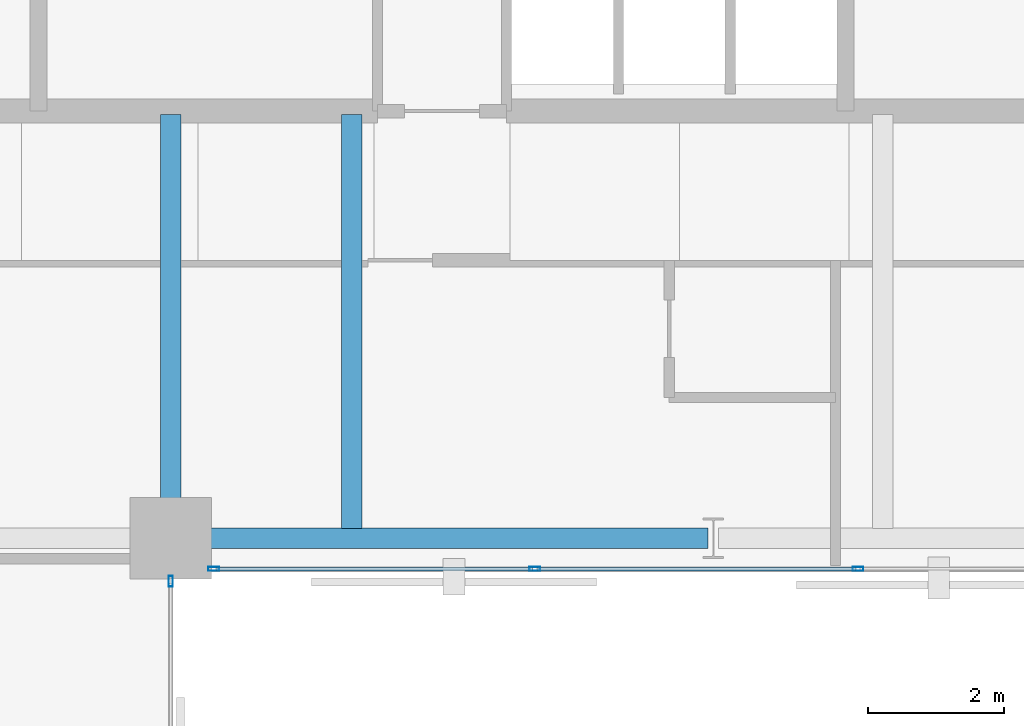
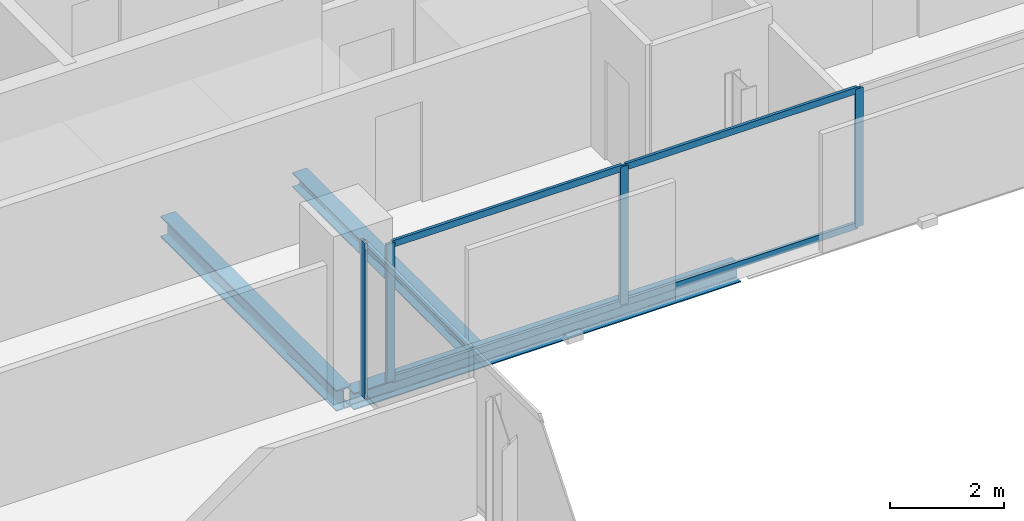
# One storey, part 13 of 32: 8 members, 3 beams, 2 elements without a shape of their own.
"""IFC4 building model written with IfcOpenShell, lengths in metres."""

from ifc_helpers import new_model, si_unit, direction, frame, origin, origin_2d, place, context, subcontext, project, spatial, hollow_rectangle, i_section, extrude, material, layer, layer_set, material_profile, profile_set, type_object, element, aggregate, save


model = new_model("IFC4")

# Units and contexts
model_context = context("Model", 3, precision=1e-05, world=origin(), true_north=direction((0.0, 1.0)))
body_context = subcontext(model_context, "Body", "Model", "MODEL_VIEW")
ifc_project = project(units=[si_unit("LENGTHUNIT", "METRE"), si_unit("AREAUNIT", "SQUARE_METRE"), si_unit("VOLUMEUNIT", "CUBIC_METRE"), si_unit("PLANEANGLEUNIT", "RADIAN"), si_unit("MASSUNIT", "GRAM", prefix="KILO")], contexts=[model_context])

# Site, building, storey
site_placement = place(None, origin())
site = spatial("IfcSite", under=ifc_project, at=site_placement, CompositionType="ELEMENT")
building_placement = place(site_placement, origin())
building = spatial("IfcBuilding", under=site, at=building_placement, Name="Catumbela Crestline Tower", CompositionType="ELEMENT")
storey_placement = place(building_placement, frame((0.0, 0.0, 129.6)))
storey = spatial("IfcBuildingStorey", under=building, at=storey_placement, Name="L33", CompositionType="ELEMENT", Elevation=129.6)

# Beams
ifc_material_1 = material(Name="Structural steel S355J2", Category="steel")
ifc_material_profile_1 = material_profile(ifc_material_1, i_section(OverallWidth=0.3, OverallDepth=0.45, WebThickness=0.014, FlangeThickness=0.026, FilletRadius=0.027, at=origin_2d()), Name="HEB 450")
ifc_profile_set_1 = profile_set([ifc_material_profile_1], Name="Structural steel S355J2")
beam_type_1 = type_object("IfcBeamType", Name="BG-HEB450", PredefinedType="BEAM", material=ifc_profile_set_1)
beam_1_placement = place(storey_placement, frame((24.0, 24.58, -0.485), z_axis=(0.0, 1.0, 0.0), x_axis=(-1.0, 0.0, 0.0)))
element("IfcBeam", 1, at=beam_1_placement, inside=storey, type_object=beam_type_1, Name="L33 Beam BM-L33-SNS29", PredefinedType="BEAM", context=body_context, shape_type="SweptSolid", body=[
    extrude(i_section(OverallWidth=0.3, OverallDepth=0.45, WebThickness=0.014, FlangeThickness=0.026, FilletRadius=0.027, at=origin_2d()), origin(), (0.0, 0.0, 1.0), 6.17),
])
ifc_material_profile_2 = material_profile(ifc_material_1, i_section(OverallWidth=0.3, OverallDepth=0.31, WebThickness=0.009, FlangeThickness=0.0155, FilletRadius=0.027, at=origin_2d()), Name="HEA 320")
ifc_profile_set_2 = profile_set([ifc_material_profile_2], Name="Structural steel S355J2")
beam_type_2 = type_object("IfcBeamType", Name="BJ-HEA320", PredefinedType="JOIST", material=ifc_profile_set_2)
beam_2_placement = place(storey_placement, frame((26.667, 24.647, -0.415), z_axis=(0.0, 1.0, 0.0), x_axis=(-1.0, 0.0, 0.0)))
element("IfcBeam", 2, at=beam_2_placement, inside=storey, type_object=beam_type_2, Name="L33 Joist JS-L33-SP39", PredefinedType="JOIST", context=body_context, shape_type="SweptSolid", body=[
    extrude(i_section(OverallWidth=0.3, OverallDepth=0.31, WebThickness=0.009, FlangeThickness=0.0155, FilletRadius=0.027, at=origin_2d()), origin(), (0.0, 0.0, 1.0), 6.103),
])

# Curtain wall, member
ifc_material_2 = material(Name="Aluminium alloy AW-6060-T66", Category="aluminium")
ifc_layer = layer(ifc_material_2, 0.18, Name="Aluminium alloy AW-6060-T66")
ifc_layer_set = layer_set([ifc_layer], Name="Aluminium alloy AW-6060-T66")
curtain_wall_type = type_object("IfcCurtainWallType", Name="CWU-Z2", PredefinedType="USERDEFINED", material=ifc_layer_set)
curtain_wall_1_placement = place(storey_placement, origin())
curtain_wall_1 = element("IfcCurtainWall", 3, at=curtain_wall_1_placement, inside=storey, type_object=curtain_wall_type, Name="L33 Unitised Curtain Wall CW-L33-E2S1", ObjectType="UNITISED", PredefinedType="USERDEFINED")
ifc_material_profile_3 = material_profile(ifc_material_2, hollow_rectangle(XDim=0.06, YDim=0.16, WallThickness=0.004, at=origin_2d()), Name="ALU 160x60x4")
ifc_profile_set_3 = profile_set([ifc_material_profile_3], Name="Aluminium alloy AW-6060-T66")
member_type_1 = type_object("IfcMemberType", Name="MUL-160X60", PredefinedType="MULLION", material=ifc_profile_set_3)
member_1_placement = place(storey_placement, frame((24.0, 23.8675, 0.0), z_axis=(0.0, 0.0, 1.0), x_axis=(-1.0, 0.0, 0.0)))
member_1 = element("IfcMember", 4, at=member_1_placement, type_object=member_type_1, Name="CWU-Z2 mullion 5", PredefinedType="MULLION", context=body_context, shape_type="SweptSolid", body=[
    extrude(hollow_rectangle(XDim=0.06, YDim=0.16, WallThickness=0.004, at=origin_2d()), origin(), (0.0, 0.0, 1.0), 3.33),
])
aggregate(curtain_wall_1, [member_1])

# Curtain wall, members
curtain_wall_2_placement = place(storey_placement, origin())
curtain_wall_2 = element("IfcCurtainWall", 5, at=curtain_wall_2_placement, inside=storey, type_object=curtain_wall_type, Name="L33 Unitised Curtain Wall CW-L33-E3S1", ObjectType="UNITISED", PredefinedType="USERDEFINED")
member_2_placement = place(storey_placement, frame((24.6325, 24.05, 0.0), z_axis=(0.0, 0.0, 1.0), x_axis=(0.0, 1.0, 0.0)))
member_2 = element("IfcMember", 6, at=member_2_placement, type_object=member_type_1, Name="CWU-Z2 mullion 1", PredefinedType="MULLION", context=body_context, shape_type="SweptSolid", body=[
    extrude(hollow_rectangle(XDim=0.06, YDim=0.16, WallThickness=0.004, at=origin_2d()), origin(), (0.0, 0.0, 1.0), 2.96),
])
member_3_placement = place(storey_placement, frame((29.3667, 24.05, 0.0), z_axis=(0.0, 0.0, 1.0), x_axis=(0.0, 1.0, 0.0)))
member_3 = element("IfcMember", 7, at=member_3_placement, type_object=member_type_1, Name="CWU-Z2 mullion 2", PredefinedType="MULLION", context=body_context, shape_type="SweptSolid", body=[
    extrude(hollow_rectangle(XDim=0.06, YDim=0.16, WallThickness=0.004, at=origin_2d()), origin(), (0.0, 0.0, 1.0), 2.96),
])
member_4_placement = place(storey_placement, frame((34.1333, 24.05, 0.0), z_axis=(0.0, 0.0, 1.0), x_axis=(0.0, 1.0, 0.0)))
member_4 = element("IfcMember", 8, at=member_4_placement, type_object=member_type_1, Name="CWU-Z2 mullion 3", PredefinedType="MULLION", context=body_context, shape_type="SweptSolid", body=[
    extrude(hollow_rectangle(XDim=0.06, YDim=0.16, WallThickness=0.004, at=origin_2d()), origin(), (0.0, 0.0, 1.0), 2.96),
])

# Beam
ifc_material_profile_4 = material_profile(ifc_material_1, i_section(OverallWidth=0.3, OverallDepth=0.36, WebThickness=0.0125, FlangeThickness=0.0225, FilletRadius=0.027, at=origin_2d()), Name="HEB 360")
ifc_profile_set_4 = profile_set([ifc_material_profile_4], Name="Structural steel S355J2")
beam_type_3 = type_object("IfcBeamType", Name="BS-HEB360", PredefinedType="SPANDREL", material=ifc_profile_set_4)
beam_3_placement = place(storey_placement, frame((24.08, 24.5, -0.44), z_axis=(1.0, 0.0, 0.0), x_axis=(0.0, 1.0, 0.0)))
element("IfcBeam", 9, at=beam_3_placement, inside=storey, type_object=beam_type_3, Name="L33 Spandrel SP-L33-S05", PredefinedType="SPANDREL", context=body_context, shape_type="SweptSolid", body=[
    extrude(i_section(OverallWidth=0.3, OverallDepth=0.36, WebThickness=0.0125, FlangeThickness=0.0225, FilletRadius=0.027, at=origin_2d()), origin(), (0.0, 0.0, 1.0), 7.84),
])

# Member
ifc_material_profile_5 = material_profile(ifc_material_2, hollow_rectangle(XDim=0.06, YDim=0.14, WallThickness=0.004, at=origin_2d()), Name="ALU 140x60x4")
ifc_profile_set_5 = profile_set([ifc_material_profile_5], Name="Aluminium alloy AW-6060-T66")
member_type_2 = type_object("IfcMemberType", Name="TRN-140X60", PredefinedType="USERDEFINED", material=ifc_profile_set_5)
member_5_placement = place(storey_placement, frame((24.665, 24.05, 0.03), z_axis=(1.0, 0.0, 0.0), x_axis=(0.0, 1.0, 0.0)))
member_5 = element("IfcMember", 10, at=member_5_placement, type_object=member_type_2, Name="CWU-Z2 transom 1.1", ObjectType="TRANSOM", PredefinedType="USERDEFINED", context=body_context, shape_type="SweptSolid", body=[
    extrude(hollow_rectangle(XDim=0.06, YDim=0.14, WallThickness=0.004, at=origin_2d()), origin(), (0.0, 0.0, 1.0), 4.6692),
])

member_6_placement = place(storey_placement, frame((24.665, 24.05, 2.93), z_axis=(1.0, 0.0, 0.0), x_axis=(0.0, 1.0, 0.0)))
member_6 = element("IfcMember", 11, at=member_6_placement, type_object=member_type_2, Name="CWU-Z2 transom 1.2", ObjectType="TRANSOM", PredefinedType="USERDEFINED", context=body_context, shape_type="SweptSolid", body=[
    extrude(hollow_rectangle(XDim=0.06, YDim=0.14, WallThickness=0.004, at=origin_2d()), origin(), (0.0, 0.0, 1.0), 4.6692),
])

member_7_placement = place(storey_placement, frame((29.3992, 24.05, 0.03), z_axis=(1.0, 0.0, 0.0), x_axis=(0.0, 1.0, 0.0)))
member_7 = element("IfcMember", 12, at=member_7_placement, type_object=member_type_2, Name="CWU-Z2 transom 2.1", ObjectType="TRANSOM", PredefinedType="USERDEFINED", context=body_context, shape_type="SweptSolid", body=[
    extrude(hollow_rectangle(XDim=0.06, YDim=0.14, WallThickness=0.004, at=origin_2d()), origin(), (0.0, 0.0, 1.0), 4.7016),
])

member_8_placement = place(storey_placement, frame((29.3992, 24.05, 2.93), z_axis=(1.0, 0.0, 0.0), x_axis=(0.0, 1.0, 0.0)))
member_8 = element("IfcMember", 13, at=member_8_placement, type_object=member_type_2, Name="CWU-Z2 transom 2.2", ObjectType="TRANSOM", PredefinedType="USERDEFINED", context=body_context, shape_type="SweptSolid", body=[
    extrude(hollow_rectangle(XDim=0.06, YDim=0.14, WallThickness=0.004, at=origin_2d()), origin(), (0.0, 0.0, 1.0), 4.7016),
])

aggregate(curtain_wall_2, [member_2, member_3, member_4, member_5, member_6, member_7, member_8])

save(model, "model.ifc")
